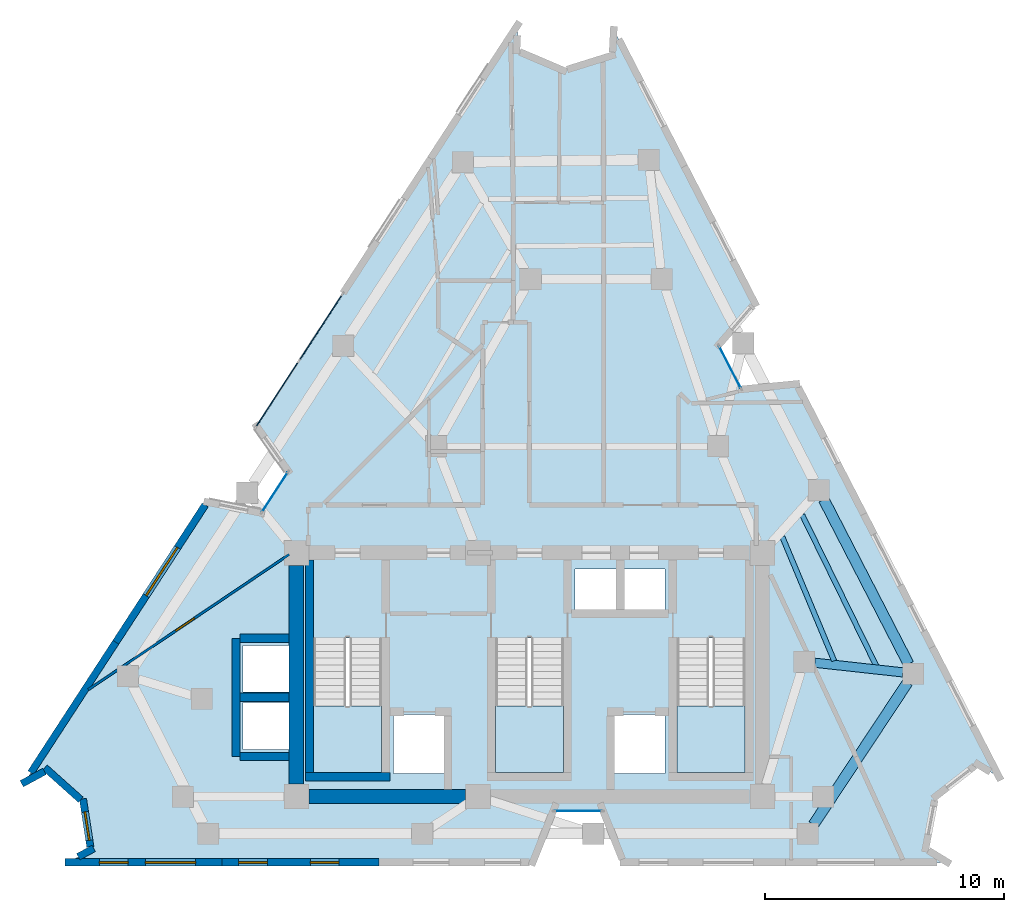
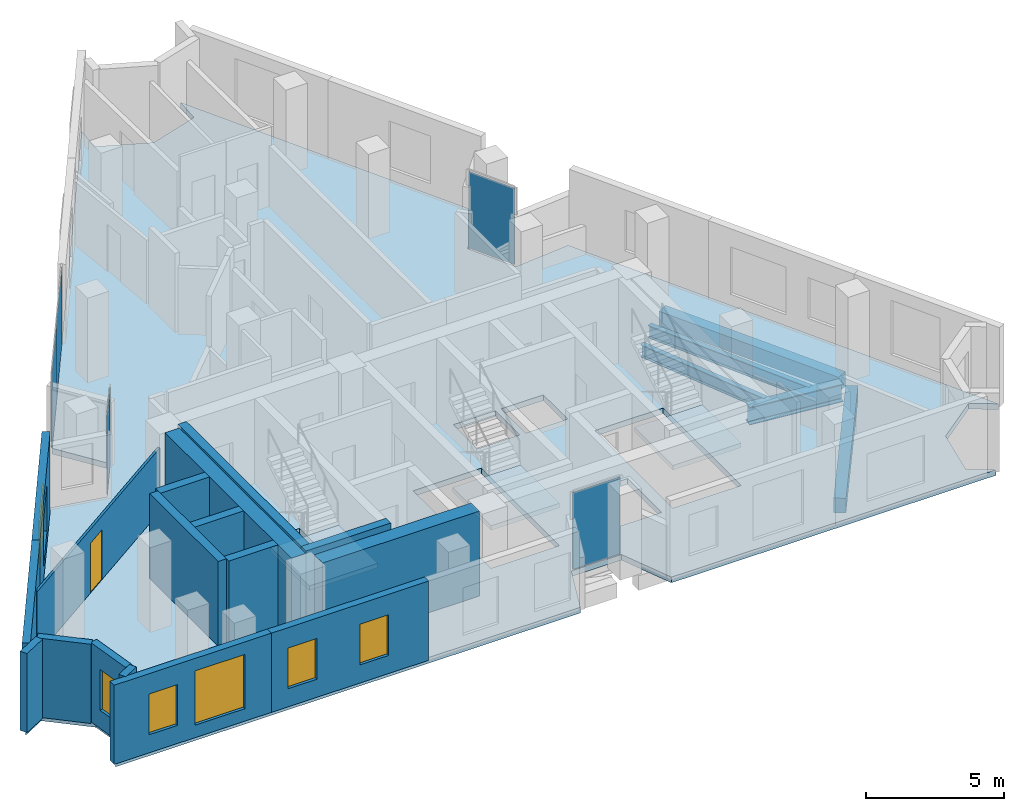
# One storey, part 4 of 9: 17 walls, 6 windows, 5 beams, 5 plates, 4 slabs, 1 door, 7 openings, 7 elements without a shape of their own.
"""IFC4 building model written with IfcOpenShell, lengths in metres."""

from ifc_helpers import new_model, si_unit, direction, frame, frame_2d, origin, origin_2d, place, context, subcontext, project, spatial, polyline, rectangle, i_section, outline, extrude, material, layer, layer_set, material_profile, profile_set, type_object, element, fill, aggregate, save


model = new_model("IFC4")

# Units and contexts
model_context = context("Model", 3, precision=1e-05, world=origin(), true_north=direction((0.0, 1.0)))
body_context = subcontext(model_context, "Body", "Model", "MODEL_VIEW")
ifc_project = project(units=[si_unit("LENGTHUNIT", "METRE"), si_unit("AREAUNIT", "SQUARE_METRE"), si_unit("VOLUMEUNIT", "CUBIC_METRE"), si_unit("PLANEANGLEUNIT", "RADIAN"), si_unit("MASSUNIT", "GRAM", prefix="KILO")], contexts=[model_context])

# Site, building, storey
site_placement = place(None, origin())
site = spatial("IfcSite", under=ifc_project, at=site_placement, CompositionType="ELEMENT")
building_placement = place(site_placement, origin())
building = spatial("IfcBuilding", under=site, at=building_placement, Name="Almagre Mirador Tower", CompositionType="ELEMENT")
storey_placement = place(building_placement, frame((0.0, 0.0, 225.75)))
storey = spatial("IfcBuildingStorey", under=building, at=storey_placement, Name="L58", CompositionType="ELEMENT", Elevation=225.75)

# Beams
ifc_material_1 = material(Name="Steel ASTM A992 Grade 50", Category="steel")
ifc_material_profile_1 = material_profile(ifc_material_1, i_section(OverallWidth=0.214111328125, OverallDepth=0.549072265625, WebThickness=0.0146484375, FlangeThickness=0.023681640625, FilletRadius=0.01806640625, at=origin_2d()), Name="W21X93")
ifc_profile_set_1 = profile_set([ifc_material_profile_1], Name="Steel ASTM A992 Grade 50")
beam_type_1 = type_object("IfcBeamType", Name="BM-JST-W21X93", PredefinedType="JOIST", material=ifc_profile_set_1)
beam_1_placement = place(storey_placement, frame((51.814208984375, 10.032470703125, -0.5244140625), z_axis=(-0.440499526786, 0.897752842881, 0.0), x_axis=(-0.897752842881, -0.440499526786, 0.0)))
element("IfcBeam", 1, at=beam_1_placement, inside=storey, type_object=beam_type_1, Name="L58 secondary floor joist PC05-PC06.1", PredefinedType="JOIST", context=body_context, shape_type="SweptSolid", body=[
    extrude(i_section(OverallWidth=0.214111328125, OverallDepth=0.549072265625, WebThickness=0.0146484375, FlangeThickness=0.023681640625, FilletRadius=0.01806640625, at=origin_2d()), origin(), (0.0, 0.0, 1.0), 7.02392578125),
])
beam_2_placement = place(storey_placement, frame((50.056884765625, 10.231201171875, -0.5244140625), z_axis=(-0.38582023775, 0.922573977599, 0.0), x_axis=(-0.922573977599, -0.38582023775, 0.0)))
element("IfcBeam", 2, at=beam_2_placement, inside=storey, type_object=beam_type_1, Name="L58 secondary floor joist PC05-PC06.3", PredefinedType="JOIST", context=body_context, shape_type="SweptSolid", body=[
    extrude(i_section(OverallWidth=0.214111328125, OverallDepth=0.549072265625, WebThickness=0.0146484375, FlangeThickness=0.023681640625, FilletRadius=0.01806640625, at=origin_2d()), origin(), (0.0, 0.0, 1.0), 5.624267578125),
])
ifc_material_2 = material(Name="Precast concrete C50/60", Category="concrete")
ifc_material_profile_2 = material_profile(ifc_material_2, rectangle(XDim=0.449951171875, YDim=0.64990234375, at=origin_2d()), Name="RC450X650")
ifc_profile_set_2 = profile_set([ifc_material_profile_2], Name="Precast concrete C50/60")
beam_type_2 = type_object("IfcBeamType", Name="BM-SPN-RC450X650", PredefinedType="SPANDREL", material=ifc_profile_set_2)
beam_3_placement = place(storey_placement, frame((49.1923828125, 3.375244140625, -0.574951171875), z_axis=(0.551908560309, 0.83390463547, 0.0), x_axis=(-0.83390463547, 0.551908560309, 0.0)))
element("IfcBeam", 3, at=beam_3_placement, inside=storey, type_object=beam_type_2, Name="L58 perimeter spandrel beam PC04-PC05", PredefinedType="SPANDREL", context=body_context, shape_type="SweptSolid", body=[
    extrude(rectangle(XDim=0.449951171875, YDim=0.64990234375, at=origin_2d()), origin(), (0.0, 0.0, 1.0), 7.132080078125),
])
beam_4_placement = place(storey_placement, frame((53.1708984375, 10.097900390625, -0.574951171875), z_axis=(-0.45829341544, 0.888800959363, 0.0), x_axis=(-0.888800959363, -0.45829341544, 0.0)))
element("IfcBeam", 4, at=beam_4_placement, inside=storey, type_object=beam_type_2, Name="L58 perimeter spandrel beam PC05-PC06", PredefinedType="SPANDREL", context=body_context, shape_type="SweptSolid", body=[
    extrude(rectangle(XDim=0.449951171875, YDim=0.64990234375, at=origin_2d()), origin(), (0.0, 0.0, 1.0), 7.740966796875),
])
ifc_material_3 = material(Name="Steel ASTM A992 Grade 50", Category="steel")
ifc_material_profile_3 = material_profile(ifc_material_3, i_section(OverallWidth=0.384033203125, OverallDepth=0.784912109375, WebThickness=0.019775390625, FlangeThickness=0.033447265625, FilletRadius=0.02392578125, at=origin_2d()), Name="W30X211")
ifc_profile_set_3 = profile_set([ifc_material_profile_3], Name="Steel ASTM A992 Grade 50")
beam_type_3 = type_object("IfcBeamType", Name="BM-STL-W30X211", PredefinedType="BEAM", material=ifc_profile_set_3)
beam_5_placement = place(storey_placement, frame((52.9296875, 9.7470703125, -0.642578125), z_axis=(-0.994041045224, 0.109006423709, 0.0), x_axis=(-0.109006423709, -0.994041045224, 0.0)))
element("IfcBeam", 5, at=beam_5_placement, inside=storey, type_object=beam_type_3, Name="L58 radial floor girder PC05-MC3", PredefinedType="BEAM", context=body_context, shape_type="SweptSolid", body=[
    extrude(i_section(OverallWidth=0.384033203125, OverallDepth=0.784912109375, WebThickness=0.019775390625, FlangeThickness=0.033447265625, FilletRadius=0.02392578125, at=origin_2d()), origin(), (0.0, 0.0, 1.0), 3.704345703125),
])

# Curtain wall, plate
ifc_material_4 = material(Name="Black anodized aluminium", Category="aluminium")
ifc_layer_1 = layer(ifc_material_4, 0.169921875)
ifc_layer_set_1 = layer_set([ifc_layer_1], Name="Black anodized aluminium")
curtain_wall_type_1 = type_object("IfcCurtainWallType", Name="CW-CRS-SYS", PredefinedType="NOTDEFINED", material=ifc_layer_set_1)
curtain_wall_1_placement = place(storey_placement, origin())
curtain_wall_1 = element("IfcCurtainWall", 6, at=curtain_wall_1_placement, inside=storey, type_object=curtain_wall_type_1, Name="L58 vertical crease curtain wall 01", PredefinedType="NOTDEFINED")
ifc_material_5 = material(Name="Dark solar-control laminated hurricane glass", Category="glass")
ifc_layer_2 = layer(ifc_material_5, 0.028076171875)
ifc_layer_set_2 = layer_set([ifc_layer_2], Name="Dark solar-control laminated hurricane glass")
plate_type_1 = type_object("IfcPlateType", Name="PLT-GLZ-28", PredefinedType="CURTAIN_PANEL", material=ifc_layer_set_2)
plate_1_placement = place(storey_placement, frame((26.65087890625, 17.29150390625, 0.06005859375), z_axis=(0.0, 0.0, 1.0), x_axis=(0.545610640334, 0.838038799313, 0.0)))
plate_1 = element("IfcPlate", 7, at=plate_1_placement, type_object=plate_type_1, Name="CW-4 panel 1.1", PredefinedType="CURTAIN_PANEL", context=body_context, shape_type="SweptSolid", body=[
    extrude(rectangle(XDim=1.969482421875, YDim=0.028076171875, at=origin_2d()), origin(), (0.0, 0.0, 1.0), 3.3798828125),
])
aggregate(curtain_wall_1, [plate_1])

curtain_wall_2_placement = place(storey_placement, origin())
curtain_wall_2 = element("IfcCurtainWall", 8, at=curtain_wall_2_placement, inside=storey, type_object=curtain_wall_type_1, Name="L58 vertical crease curtain wall 03", PredefinedType="NOTDEFINED")
plate_2_placement = place(storey_placement, frame((45.697998046875, 22.51806640625, 0.06005859375), z_axis=(0.0, 0.0, 1.0), x_axis=(0.458277323858, -0.888809256499, 0.0)))
plate_2 = element("IfcPlate", 9, at=plate_2_placement, type_object=plate_type_1, Name="CW-4 panel 1.1", PredefinedType="CURTAIN_PANEL", context=body_context, shape_type="SweptSolid", body=[
    extrude(rectangle(XDim=1.970458984375, YDim=0.028076171875, at=origin_2d()), origin(), (0.0, 0.0, 1.0), 3.3798828125),
])
aggregate(curtain_wall_2, [plate_2])

curtain_wall_3_placement = place(storey_placement, origin())
curtain_wall_3 = element("IfcCurtainWall", 10, at=curtain_wall_3_placement, inside=storey, type_object=curtain_wall_type_1, Name="L58 vertical crease curtain wall 04", PredefinedType="NOTDEFINED")
plate_3_placement = place(storey_placement, frame((39.343994140625, 3.949951171875, 0.06005859375), z_axis=(0.0, 0.0, 1.0), x_axis=(-1.0, 0.0, 0.0)))
plate_3 = element("IfcPlate", 11, at=plate_3_placement, type_object=plate_type_1, Name="CW-4 panel 1.1", PredefinedType="CURTAIN_PANEL", context=body_context, shape_type="SweptSolid", body=[
    extrude(rectangle(XDim=1.969970703125, YDim=0.028076171875, at=origin_2d()), origin(), (0.0, 0.0, 1.0), 3.3798828125),
])
aggregate(curtain_wall_3, [plate_3])

# Curtain wall, plates
ifc_material_6 = material(Name="Black anodized aluminium", Category="aluminium")
ifc_layer_3 = layer(ifc_material_6, 0.199951171875)
ifc_layer_set_3 = layer_set([ifc_layer_3], Name="Black anodized aluminium")
curtain_wall_type_2 = type_object("IfcCurtainWallType", Name="CW-RES-H-SYS", PredefinedType="NOTDEFINED", material=ifc_layer_set_3)
curtain_wall_4_placement = place(storey_placement, origin())
curtain_wall_4 = element("IfcCurtainWall", 12, at=curtain_wall_4_placement, inside=storey, type_object=curtain_wall_type_2, Name="L58 curtain wall run 02", PredefinedType="NOTDEFINED")
ifc_material_7 = material(Name="Dark solar-control laminated hurricane glass", Category="glass")
ifc_layer_4 = layer(ifc_material_7, 0.035888671875)
ifc_layer_set_4 = layer_set([ifc_layer_4], Name="Dark solar-control laminated hurricane glass")
plate_type_2 = type_object("IfcPlateType", Name="PLT-GLZ-36", PredefinedType="CURTAIN_PANEL", material=ifc_layer_set_4)
plate_4_placement = place(storey_placement, frame((26.7421875, 21.3720703125, 0.06494140625), z_axis=(0.0, 0.0, 1.0), x_axis=(0.545613121972, 0.838037183621, 0.0)))
plate_4 = element("IfcPlate", 13, at=plate_4_placement, type_object=plate_type_2, Name="CW-3 panel 1.1", PredefinedType="CURTAIN_PANEL", context=body_context, shape_type="SweptSolid", body=[
    extrude(rectangle(XDim=3.28857421875, YDim=0.035888671875, at=origin_2d()), origin(), (0.0, 0.0, 1.0), 3.3701171875),
])
plate_5_placement = place(storey_placement, frame((28.572021484375, 24.182373046875, 0.06494140625), z_axis=(0.0, 0.0, 1.0), x_axis=(0.545613121972, 0.838037183621, 0.0)))
plate_5 = element("IfcPlate", 14, at=plate_5_placement, type_object=plate_type_2, Name="CW-3 panel 2.1", PredefinedType="CURTAIN_PANEL", context=body_context, shape_type="SweptSolid", body=[
    extrude(rectangle(XDim=3.28857421875, YDim=0.035888671875, at=origin_2d()), origin(), (0.0, 0.0, 1.0), 3.3701171875),
])
aggregate(curtain_wall_4, [plate_4, plate_5])

# Slab
ifc_material_8 = material(Name="Concrete C45/55", Category="concrete")
ifc_layer_5 = layer(ifc_material_8, 0.25)
ifc_layer_set_5 = layer_set([ifc_layer_5], Name="Concrete C45/55")
slab_type_1 = type_object("IfcSlabType", Name="SLB-FLR-250", PredefinedType="FLOOR", material=ifc_layer_set_5)
slab_1_placement = place(storey_placement, frame((0.0, 0.0, -0.25)))
element("IfcSlab", 15, at=slab_1_placement, inside=storey, type_object=slab_type_1, Name="L58 structural floor slab", PredefinedType="FLOOR", context=body_context, shape_type="SweptSolid", body=[
    extrude(outline(polyline([(16.181884765625, 5.152099609375), (17.132080078125, 5.6669921875), (18.64208984375, 4.31689453125), (18.948974609375, 2.31494140625), (18.0, 1.800048828125), (37.444091796875, 1.800048828125), (38.299072265625, 3.949951171875), (40.388916015625, 3.949951171875), (41.243896484375, 1.800048828125), (54.800048828125, 1.800048828125), (53.8779296875, 2.362060546875), (54.291015625, 4.548095703125), (56.044921875, 5.9169921875), (56.967041015625, 5.35498046875), (48.47998046875, 21.81396484375), (46.177001953125, 21.589111328125), (45.218994140625, 23.447021484375), (46.739013671875, 25.19189453125), (40.8330078125, 36.64501953125), (40.779052734375, 35.56591796875), (38.73291015625, 34.927001953125), (36.762939453125, 35.76904296875), (36.818115234375, 36.847900390625), (25.885986328125, 20.056884765625), (27.220947265625, 18.1669921875), (26.0810546875, 16.416015625), (23.81298828125, 16.8720703125), (16.181884765625, 5.152099609375)]), holes=[polyline([(43.47509765625, 5.550048828125), (43.47509765625, 11.196044921875), (46.324951171875, 11.196044921875), (46.324951171875, 5.550048828125), (43.47509765625, 5.550048828125)]), polyline([(41.219970703125, 12.320068359375), (41.219970703125, 14.080078125), (42.97998046875, 14.080078125), (42.97998046875, 12.320068359375), (41.219970703125, 12.320068359375)]), polyline([(42.97998046875, 5.52001953125), (40.820068359375, 5.52001953125), (40.820068359375, 7.97998046875), (42.97998046875, 7.97998046875), (42.97998046875, 5.52001953125)]), polyline([(39.219970703125, 12.320068359375), (39.219970703125, 14.080078125), (40.97998046875, 14.080078125), (40.97998046875, 12.320068359375), (39.219970703125, 12.320068359375)]), polyline([(35.875, 5.550048828125), (35.875, 11.196044921875), (38.72509765625, 11.196044921875), (38.72509765625, 5.550048828125), (35.875, 5.550048828125)]), polyline([(33.780029296875, 5.52001953125), (31.6201171875, 5.52001953125), (31.6201171875, 7.97998046875), (33.780029296875, 7.97998046875), (33.780029296875, 5.52001953125)]), polyline([(28.27490234375, 5.550048828125), (28.27490234375, 11.196044921875), (31.125, 11.196044921875), (31.125, 5.550048828125), (28.27490234375, 5.550048828125)]), polyline([(27.3798828125, 6.52001953125), (25.320068359375, 6.52001953125), (25.320068359375, 8.47998046875), (27.3798828125, 8.47998046875), (27.3798828125, 6.52001953125)]), polyline([(27.3798828125, 8.919921875), (25.320068359375, 8.919921875), (25.320068359375, 10.8798828125), (27.3798828125, 10.8798828125), (27.3798828125, 8.919921875)])]), origin(), (0.0, 0.0, 1.0), 0.25),
])

# Stair, slab
ifc_material_9 = material(Name="Concrete C45/55", Category="concrete")
stair_type = type_object("IfcStairType", Name="STR-DL-3750", PredefinedType="HALF_TURN_STAIR", material=ifc_material_9)
stair_1_placement = place(storey_placement, origin())
stair_1 = element("IfcStair", 16, at=stair_1_placement, inside=storey, type_object=stair_type, Name="L58 Protected exit stair ST-1", PredefinedType="HALF_TURN_STAIR")
ifc_material_10 = material(Name="Concrete C45/55", Category="concrete")
ifc_layer_6 = layer(ifc_material_10, 0.199951171875)
ifc_layer_set_6 = layer_set([ifc_layer_6], Name="Concrete C45/55")
slab_type_2 = type_object("IfcSlabType", Name="SLB-LND-200", PredefinedType="LANDING", material=ifc_layer_set_6)
slab_2_placement = place(storey_placement, frame((0.0, 0.0, 1.675048828125)))
slab_2 = element("IfcSlab", 17, at=slab_2_placement, type_object=slab_type_2, Name="ST-1 landing 1", PredefinedType="LANDING", context=body_context, shape_type="SweptSolid", body=[
    extrude(outline(polyline([(28.27490234375, 8.35009765625), (28.27490234375, 5.550048828125), (31.125, 5.550048828125), (31.125, 8.35009765625), (28.27490234375, 8.35009765625)])), origin(), (0.0, 0.0, 1.0), 0.199951171875),
])
aggregate(stair_1, [slab_2])

stair_2_placement = place(storey_placement, origin())
stair_2 = element("IfcStair", 18, at=stair_2_placement, inside=storey, type_object=stair_type, Name="L58 Protected exit stair ST-2", PredefinedType="HALF_TURN_STAIR")
slab_3_placement = place(storey_placement, frame((0.0, 0.0, 1.675048828125)))
slab_3 = element("IfcSlab", 19, at=slab_3_placement, type_object=slab_type_2, Name="ST-2 landing 1", PredefinedType="LANDING", context=body_context, shape_type="SweptSolid", body=[
    extrude(outline(polyline([(35.875, 8.35009765625), (35.875, 5.550048828125), (38.72509765625, 5.550048828125), (38.72509765625, 8.35009765625), (35.875, 8.35009765625)])), origin(), (0.0, 0.0, 1.0), 0.199951171875),
])
aggregate(stair_2, [slab_3])

stair_3_placement = place(storey_placement, origin())
stair_3 = element("IfcStair", 20, at=stair_3_placement, inside=storey, type_object=stair_type, Name="L58 Protected exit stair ST-3", PredefinedType="HALF_TURN_STAIR")
slab_4_placement = place(storey_placement, frame((0.0, 0.0, 1.675048828125)))
slab_4 = element("IfcSlab", 21, at=slab_4_placement, type_object=slab_type_2, Name="ST-3 landing 1", PredefinedType="LANDING", context=body_context, shape_type="SweptSolid", body=[
    extrude(outline(polyline([(43.47509765625, 8.35009765625), (43.47509765625, 5.550048828125), (46.324951171875, 5.550048828125), (46.324951171875, 8.35009765625), (43.47509765625, 8.35009765625)])), origin(), (0.0, 0.0, 1.0), 0.199951171875),
])
aggregate(stair_3, [slab_4])

# Wall, openings, windows
ifc_material_11 = material(Name="Precast concrete C50/60", Category="concrete")
ifc_layer_7 = layer(ifc_material_11, 0.300048828125)
ifc_layer_set_7 = layer_set([ifc_layer_7], Name="Precast concrete C50/60")
wall_type_1 = type_object("IfcWallType", Name="WAL-EXT-300", PredefinedType="SOLIDWALL", material=ifc_layer_set_7)
wall_1_placement = place(storey_placement, frame((31.00927734375, 1.800048828125, 0.0), z_axis=(0.0, 0.0, 1.0), x_axis=(-1.0, 0.0, 0.0)))
wall_1 = element("IfcWall", 22, at=wall_1_placement, inside=storey, type_object=wall_type_1, Name="L58 expressed almagre precast frame wall 25", PredefinedType="SOLIDWALL", context=body_context, shape_type="SweptSolid", body=[
    extrude(rectangle(XDim=6.574462890625, YDim=0.300048828125, at=frame_2d((3.287109375, 0.0))), origin(), (0.0, 0.0, 1.0), 3.5),
])
opening_1_placement = place(wall_1_placement, frame((1.675048828125, 0.0, 0.800048828125)))
opening_1 = element("IfcOpeningElement", 23, at=opening_1_placement, cuts=wall_1, Name="Opening WN-04", PredefinedType="OPENING", context=body_context, shape_type="SweptSolid", body=[
    extrude(rectangle(XDim=1.199951171875, YDim=1.800048828125, at=frame_2d((0.60009765625, 0.89990234375))), frame((0.0, 0.159902, 0.0), z_axis=(0.0, -1.0, 0.0), x_axis=(1.0, 0.0, 0.0)), (0.0, 0.0, 1.0), 0.320049),
])
opening_2_placement = place(wall_1_placement, frame((4.675048828125, 0.0, 0.800048828125)))
opening_2 = element("IfcOpeningElement", 24, at=opening_2_placement, cuts=wall_1, Name="Opening WN-04", PredefinedType="OPENING", context=body_context, shape_type="SweptSolid", body=[
    extrude(rectangle(XDim=1.199951171875, YDim=1.800048828125, at=frame_2d((0.60009765625, 0.89990234375))), frame((0.0, 0.159902, 0.0), z_axis=(0.0, -1.0, 0.0), x_axis=(1.0, 0.0, 0.0)), (0.0, 0.0, 1.0), 0.320049),
])
ifc_material_12 = material(Name="Dark solar-control laminated hurricane glass", Category="glass")
window_type_1 = type_object("IfcWindowType", Name="WIN-1200X1800", PartitioningType="SINGLE_PANEL", PredefinedType="WINDOW", material=ifc_material_12)
window_1_placement = place(opening_1_placement, origin())
window_1 = element("IfcWindow", 25, at=window_1_placement, inside=storey, type_object=window_type_1, Name="L58 recessed hurricane window L58-UB-ST", OverallHeight=1.800048828125, OverallWidth=1.199951171875, PartitioningType="SINGLE_PANEL", PredefinedType="WINDOW", context=body_context, shape_type="SweptSolid", body=[
    extrude(rectangle(XDim=1.199951171875, YDim=1.800048828125, at=frame_2d((0.60009765625, 0.89990234375))), frame((0.0, 0.030029296875, 0.0), z_axis=(0.0, -1.0, 0.0), x_axis=(1.0, 0.0, 0.0)), (0.0, 0.0, 1.0), 0.06005859375),
])
fill(opening_1, window_1)
window_2_placement = place(opening_2_placement, origin())
window_2 = element("IfcWindow", 26, at=window_2_placement, inside=storey, type_object=window_type_1, Name="L58 recessed hurricane window L58-UB-KT", OverallHeight=1.800048828125, OverallWidth=1.199951171875, PartitioningType="SINGLE_PANEL", PredefinedType="WINDOW", context=body_context, shape_type="SweptSolid", body=[
    extrude(rectangle(XDim=1.199951171875, YDim=1.800048828125, at=frame_2d((0.60009765625, 0.89990234375))), frame((0.0, 0.030029296875, 0.0), z_axis=(0.0, -1.0, 0.0), x_axis=(1.0, 0.0, 0.0)), (0.0, 0.0, 1.0), 0.06005859375),
])
fill(opening_2, window_2)

wall_2_placement = place(storey_placement, frame((24.434814453125, 1.800048828125, 0.0), z_axis=(0.0, 0.0, 1.0), x_axis=(-1.0, 0.0, 0.0)))
wall_2 = element("IfcWall", 27, at=wall_2_placement, inside=storey, type_object=wall_type_1, Name="L58 expressed almagre precast frame wall 26", PredefinedType="SOLIDWALL", context=body_context, shape_type="SweptSolid", body=[
    extrude(rectangle(XDim=6.57470703125, YDim=0.300048828125, at=frame_2d((3.287353515625, 0.0))), origin(), (0.0, 0.0, 1.0), 3.5),
])
opening_3_placement = place(wall_2_placement, frame((1.10009765625, 0.0, 0.550048828125)))
opening_3 = element("IfcOpeningElement", 28, at=opening_3_placement, cuts=wall_2, Name="Opening WN-05", PredefinedType="OPENING", context=body_context, shape_type="SweptSolid", body=[
    extrude(rectangle(XDim=2.10009765625, YDim=2.39990234375, at=frame_2d((1.050048828125, 1.199951171875))), frame((0.0, 0.159902, 0.0), z_axis=(0.0, -1.0, 0.0), x_axis=(1.0, 0.0, 0.0)), (0.0, 0.0, 1.0), 0.320049),
])
opening_4_placement = place(wall_2_placement, frame((3.925048828125, 0.0, 0.800048828125)))
opening_4 = element("IfcOpeningElement", 29, at=opening_4_placement, cuts=wall_2, Name="Opening WN-04", PredefinedType="OPENING", context=body_context, shape_type="SweptSolid", body=[
    extrude(rectangle(XDim=1.199951171875, YDim=1.800048828125, at=frame_2d((0.60009765625, 0.89990234375))), frame((0.0, 0.159902, 0.0), z_axis=(0.0, -1.0, 0.0), x_axis=(1.0, 0.0, 0.0)), (0.0, 0.0, 1.0), 0.320049),
])
window_3_placement = place(opening_4_placement, origin())
window_3 = element("IfcWindow", 30, at=window_3_placement, inside=storey, type_object=window_type_1, Name="L58 recessed hurricane window L58-UA-BT", OverallHeight=1.800048828125, OverallWidth=1.199951171875, PartitioningType="SINGLE_PANEL", PredefinedType="WINDOW", context=body_context, shape_type="SweptSolid", body=[
    extrude(rectangle(XDim=1.199951171875, YDim=1.800048828125, at=frame_2d((0.60009765625, 0.89990234375))), frame((0.0, 0.030029296875, 0.0), z_axis=(0.0, -1.0, 0.0), x_axis=(1.0, 0.0, 0.0)), (0.0, 0.0, 1.0), 0.06005859375),
])
fill(opening_4, window_3)
ifc_material_13 = material(Name="Dark solar-control laminated hurricane glass", Category="glass")
window_type_2 = type_object("IfcWindowType", Name="WIN-2100X2400", PartitioningType="DOUBLE_PANEL_VERTICAL", PredefinedType="WINDOW", material=ifc_material_13)
window_4_placement = place(opening_3_placement, origin())
window_4 = element("IfcWindow", 31, at=window_4_placement, inside=storey, type_object=window_type_2, Name="L58 recessed hurricane window L58-UA-KT", OverallHeight=2.39990234375, OverallWidth=2.10009765625, PartitioningType="SINGLE_PANEL", PredefinedType="WINDOW", context=body_context, shape_type="SweptSolid", body=[
    extrude(rectangle(XDim=2.10009765625, YDim=2.39990234375, at=frame_2d((1.050048828125, 1.199951171875))), frame((0.0, 0.030029296875, 0.0), z_axis=(0.0, -1.0, 0.0), x_axis=(1.0, 0.0, 0.0)), (0.0, 0.0, 1.0), 0.06005859375),
])
fill(opening_3, window_4)

# Wall
wall_3_placement = place(storey_placement, frame((18.42626953125, 2.03125, 0.0), z_axis=(0.0, 0.0, 1.0), x_axis=(0.878833528688, 0.47712852446, 0.0)))
element("IfcWall", 32, at=wall_3_placement, inside=storey, type_object=wall_type_1, Name="L58 expressed almagre precast frame wall 27", PredefinedType="SOLIDWALL", context=body_context, shape_type="SweptSolid", body=[
    extrude(rectangle(XDim=0.73486328125, YDim=0.300048828125, at=frame_2d((0.367431640625, 0.0))), origin(), (0.0, 0.0, 1.0), 3.5),
])

# Wall, opening, window
wall_4_placement = place(storey_placement, frame((18.928466796875, 2.448486328125, 0.0), z_axis=(0.0, 0.0, 1.0), x_axis=(-0.151514993769, 0.98845495935, 0.0)))
wall_4 = element("IfcWall", 33, at=wall_4_placement, inside=storey, type_object=wall_type_1, Name="L58 expressed almagre precast frame wall 28", PredefinedType="SOLIDWALL", context=body_context, shape_type="SweptSolid", body=[
    extrude(rectangle(XDim=2.0302734375, YDim=0.300048828125, at=frame_2d((1.01513671875, 0.0))), origin(), (0.0, 0.0, 1.0), 3.5),
])
opening_5_placement = place(wall_4_placement, frame((0.27490234375, 0.0, 0.800048828125)))
opening_5 = element("IfcOpeningElement", 34, at=opening_5_placement, cuts=wall_4, Name="Opening WN-04", PredefinedType="OPENING", context=body_context, shape_type="SweptSolid", body=[
    extrude(rectangle(XDim=1.199951171875, YDim=1.800048828125, at=frame_2d((0.60009765625, 0.89990234375))), frame((0.0, 0.159902, 0.0), z_axis=(0.0, -1.0, 0.0), x_axis=(1.0, 0.0, 0.0)), (0.0, 0.0, 1.0), 0.320049),
])
window_5_placement = place(opening_5_placement, origin())
window_5 = element("IfcWindow", 35, at=window_5_placement, inside=storey, type_object=window_type_1, Name="L58 recessed hurricane window L58-UA-BT", OverallHeight=1.800048828125, OverallWidth=1.199951171875, PartitioningType="SINGLE_PANEL", PredefinedType="WINDOW", context=body_context, shape_type="SweptSolid", body=[
    extrude(rectangle(XDim=1.199951171875, YDim=1.800048828125, at=frame_2d((0.60009765625, 0.89990234375))), frame((0.0, 0.030029296875, 0.0), z_axis=(0.0, -1.0, 0.0), x_axis=(1.0, 0.0, 0.0)), (0.0, 0.0, 1.0), 0.06005859375),
])
fill(opening_5, window_5)

# Walls
wall_5_placement = place(storey_placement, frame((18.5302734375, 4.4169921875, 0.0), z_axis=(0.0, 0.0, 1.0), x_axis=(-0.745548529149, 0.666451341572, 0.0)))
element("IfcWall", 36, at=wall_5_placement, inside=storey, type_object=wall_type_1, Name="L58 expressed almagre precast frame wall 29", PredefinedType="SOLIDWALL", context=body_context, shape_type="SweptSolid", body=[
    extrude(rectangle(XDim=2.015625, YDim=0.300048828125, at=frame_2d((1.0078125, 0.0))), origin(), (0.0, 0.0, 1.0), 3.5),
])
wall_6_placement = place(storey_placement, frame((17.01318359375, 5.602783203125, 0.0), z_axis=(0.0, 0.0, 1.0), x_axis=(-0.879044634191, -0.476739479275, 0.0)))
element("IfcWall", 37, at=wall_6_placement, inside=storey, type_object=wall_type_1, Name="L58 expressed almagre precast frame wall 30", PredefinedType="SOLIDWALL", context=body_context, shape_type="SweptSolid", body=[
    extrude(rectangle(XDim=1.085693359375, YDim=0.300048828125, at=frame_2d((0.54296875, 0.0))), origin(), (0.0, 0.0, 1.0), 3.5),
])
wall_7_placement = place(storey_placement, frame((16.441162109375, 5.550048828125, 0.0), z_axis=(0.0, 0.0, 1.0), x_axis=(0.545651760549, 0.838012026292, 0.0)))
element("IfcWall", 38, at=wall_7_placement, inside=storey, type_object=wall_type_1, Name="L58 expressed almagre precast frame wall 31", PredefinedType="SOLIDWALL", context=body_context, shape_type="SweptSolid", body=[
    extrude(rectangle(XDim=6.517822265625, YDim=0.300048828125, at=frame_2d((3.2587890625, 0.0))), origin(), (0.0, 0.0, 1.0), 3.5),
])

# Wall, opening, window
wall_8_placement = place(storey_placement, frame((19.99755859375, 11.011962890625, 0.0), z_axis=(0.0, 0.0, 1.0), x_axis=(0.545631860444, 0.838024983439, 0.0)))
wall_8 = element("IfcWall", 39, at=wall_8_placement, inside=storey, type_object=wall_type_1, Name="L58 expressed almagre precast frame wall 32", PredefinedType="SOLIDWALL", context=body_context, shape_type="SweptSolid", body=[
    extrude(rectangle(XDim=6.8525390625, YDim=0.300048828125, at=frame_2d((3.42626953125, 0.0))), origin(), (0.0, 0.0, 1.0), 3.5),
])
opening_6_placement = place(wall_8_placement, frame((2.324951171875, 0.0, 0.60009765625)))
opening_6 = element("IfcOpeningElement", 40, at=opening_6_placement, cuts=wall_8, Name="Opening WN-02", PredefinedType="OPENING", context=body_context, shape_type="SweptSolid", body=[
    extrude(rectangle(XDim=2.39990234375, YDim=2.10009765625, at=frame_2d((1.199951171875, 1.050048828125))), frame((0.0, 0.159902, 0.0), z_axis=(0.0, -1.0, 0.0), x_axis=(1.0, 0.0, 0.0)), (0.0, 0.0, 1.0), 0.320049),
])
ifc_material_14 = material(Name="Dark solar-control laminated hurricane glass", Category="glass")
window_type_3 = type_object("IfcWindowType", Name="WIN-2400X2100", PartitioningType="TRIPLE_PANEL_VERTICAL", PredefinedType="WINDOW", material=ifc_material_14)
window_6_placement = place(opening_6_placement, origin())
window_6 = element("IfcWindow", 41, at=window_6_placement, inside=storey, type_object=window_type_3, Name="L58 recessed hurricane window L58-RST-F", OverallHeight=2.10009765625, OverallWidth=2.39990234375, PartitioningType="SINGLE_PANEL", PredefinedType="WINDOW", context=body_context, shape_type="SweptSolid", body=[
    extrude(rectangle(XDim=2.39990234375, YDim=2.10009765625, at=frame_2d((1.199951171875, 1.050048828125))), frame((0.0, 0.030029296875, 0.0), z_axis=(0.0, -1.0, 0.0), x_axis=(1.0, 0.0, 0.0)), (0.0, 0.0, 1.0), 0.06005859375),
])
fill(opening_6, window_6)

# Wall, opening, door
ifc_material_15 = material(Name="Gypsum acoustic stud partition", Category="other")
ifc_layer_8 = layer(ifc_material_15, 0.10009765625)
ifc_layer_set_8 = layer_set([ifc_layer_8], Name="Gypsum acoustic stud partition")
wall_type_2 = type_object("IfcWallType", Name="WAL-PRT-100-CLS", PredefinedType="PARTITIONING", material=ifc_layer_set_8)
wall_9_placement = place(storey_placement, frame((27.25, 14.679931640625, 0.0), z_axis=(0.0, 0.0, 1.0), x_axis=(-0.829673814963, -0.558248475828, 0.0)))
wall_9 = element("IfcWall", 42, at=wall_9_placement, inside=storey, type_object=wall_type_2, Name="L58 interior partition 032", PredefinedType="PARTITIONING", context=body_context, shape_type="SweptSolid", body=[
    extrude(rectangle(XDim=10.131591796875, YDim=0.10009765625, at=frame_2d((5.06591796875, 0.0))), origin(), (0.0, 0.0, 1.0), 2.820068359375),
])
opening_7_placement = place(wall_9_placement, frame((4.770751953125, 0.0, 0.0)))
opening_7 = element("IfcOpeningElement", 43, at=opening_7_placement, cuts=wall_9, Name="Opening UD-01", PredefinedType="OPENING", context=body_context, shape_type="SweptSolid", body=[
    extrude(rectangle(XDim=0.949951171875, YDim=2.199951171875, at=frame_2d((0.47509765625, 1.10009765625))), frame((0.0, 0.060049, 0.0), z_axis=(0.0, -1.0, 0.0), x_axis=(1.0, 0.0, 0.0)), (0.0, 0.0, 1.0), 0.120098),
])
ifc_material_16 = material(Name="Solid American walnut timber", Category="wood")
door_type = type_object("IfcDoorType", Name="DOR-UNR-950X2200", OperationType="NOTDEFINED", PredefinedType="DOOR", material=ifc_material_16)
door_placement = place(opening_7_placement, origin())
door = element("IfcDoor", 44, at=door_placement, inside=storey, type_object=door_type, Name="DR-1795 L58 interior door L58-RST-D to L58-RST-F", OperationType="SINGLE_SWING_LEFT", OverallHeight=2.199951171875, OverallWidth=0.949951171875, PredefinedType="DOOR", context=body_context, shape_type="SweptSolid", body=[
    extrude(rectangle(XDim=0.949951171875, YDim=2.199951171875, at=frame_2d((0.47509765625, 1.10009765625))), frame((0.0, 0.02490234375, 0.0), z_axis=(0.0, -1.0, 0.0), x_axis=(1.0, 0.0, 0.0)), (0.0, 0.0, 1.0), 0.050048828125),
])
fill(opening_7, door)

# Walls
ifc_material_17 = material(Name="Concrete C60/75", Category="concrete")
ifc_layer_9 = layer(ifc_material_17, 0.35009765625)
ifc_layer_set_9 = layer_set([ifc_layer_9], Name="Concrete C60/75")
wall_type_3 = type_object("IfcWallType", Name="WAL-SHF-350", PredefinedType="SOLIDWALL", material=ifc_layer_set_9)
wall_10_placement = place(storey_placement, frame((28.10009765625, 5.199951171875, 0.0), z_axis=(0.0, 0.0, 1.0), x_axis=(0.0, 1.0, 0.0)))
element("IfcWall", 45, at=wall_10_placement, inside=storey, type_object=wall_type_3, Name="L58 shaft wall ST1-W", PredefinedType="SOLIDWALL", context=body_context, shape_type="SweptSolid", body=[
    extrude(rectangle(XDim=9.25, YDim=0.35009765625, at=frame_2d((4.625, 0.0))), origin(), (0.0, 0.0, 1.0), 3.75),
])
wall_11_placement = place(storey_placement, frame((27.925048828125, 5.375, 0.0), z_axis=(0.0, 0.0, 1.0), x_axis=(1.0, 0.0, 0.0)))
element("IfcWall", 46, at=wall_11_placement, inside=storey, type_object=wall_type_3, Name="L58 shaft wall ST1-S", PredefinedType="SOLIDWALL", context=body_context, shape_type="SweptSolid", body=[
    extrude(rectangle(XDim=3.550048828125, YDim=0.35009765625, at=frame_2d((1.77490234375, 0.0))), origin(), (0.0, 0.0, 1.0), 3.75),
])
wall_12_placement = place(storey_placement, frame((25.02490234375, 6.22509765625, 0.0), z_axis=(0.0, 0.0, 1.0), x_axis=(0.0, 1.0, 0.0)))
element("IfcWall", 47, at=wall_12_placement, inside=storey, type_object=wall_type_3, Name="L58 shaft wall OL-W", PredefinedType="SOLIDWALL", context=body_context, shape_type="SweptSolid", body=[
    extrude(rectangle(XDim=4.949951171875, YDim=0.35009765625, at=frame_2d((2.47509765625, 0.0))), origin(), (0.0, 0.0, 1.0), 3.75),
])
for number, where, z_axis, x_axis, name in (
    (48, (25.199951171875, 6.22509765625, 0.0), (0.0, 0.0, 1.0), (1.0, 0.0, 0.0), "L58 shaft wall OL-S"),
    (49, (25.199951171875, 8.699951171875, 0.0), (0.0, 0.0, 1.0), (1.0, 0.0, 0.0), "L58 shaft wall OL-M"),
    (50, (25.199951171875, 11.175048828125, 0.0), (0.0, 0.0, 1.0), (1.0, 0.0, 0.0), "L58 shaft wall OL-N"),
):
    element("IfcWall", number, at=place(storey_placement, frame(where, z_axis=z_axis, x_axis=x_axis)), inside=storey, type_object=wall_type_3, Name=name, PredefinedType="SOLIDWALL", context=body_context, shape_type="SweptSolid", body=[
        extrude(rectangle(XDim=2.050048828125, YDim=0.35009765625, at=frame_2d((1.02490234375, 0.0))), origin(), (0.0, 0.0, 1.0), 3.75),
    ])
ifc_material_18 = material(Name="Concrete C60/75", Category="concrete")
ifc_layer_10 = layer(ifc_material_18, 0.60009765625)
ifc_layer_set_10 = layer_set([ifc_layer_10], Name="Concrete C60/75")
wall_type_4 = type_object("IfcWallType", Name="WAL-SHR-600", PredefinedType="SHEAR", material=ifc_layer_set_10)
wall_13_placement = place(storey_placement, frame((28.074951171875, 4.550048828125, 0.0), z_axis=(0.0, 0.0, 1.0), x_axis=(1.0, 0.0, 0.0)))
element("IfcWall", 51, at=wall_13_placement, inside=storey, type_object=wall_type_4, Name="L58 core shear wall S1", PredefinedType="SHEAR", context=body_context, shape_type="SweptSolid", body=[
    extrude(rectangle(XDim=6.550048828125, YDim=0.60009765625, at=frame_2d((3.27490234375, 0.0))), origin(), (0.0, 0.0, 1.0), 3.75),
])
wall_14_placement = place(storey_placement, frame((27.550048828125, 5.074951171875, 0.0), z_axis=(0.0, 0.0, 1.0), x_axis=(0.0, 1.0, 0.0)))
element("IfcWall", 52, at=wall_14_placement, inside=storey, type_object=wall_type_4, Name="L58 core shear wall W1", PredefinedType="SHEAR", context=body_context, shape_type="SweptSolid", body=[
    extrude(rectangle(XDim=9.150146484375, YDim=0.60009765625, at=frame_2d((4.5751953125, 0.0))), origin(), (0.0, 0.0, 1.0), 3.75),
])

save(model, "model.ifc")
